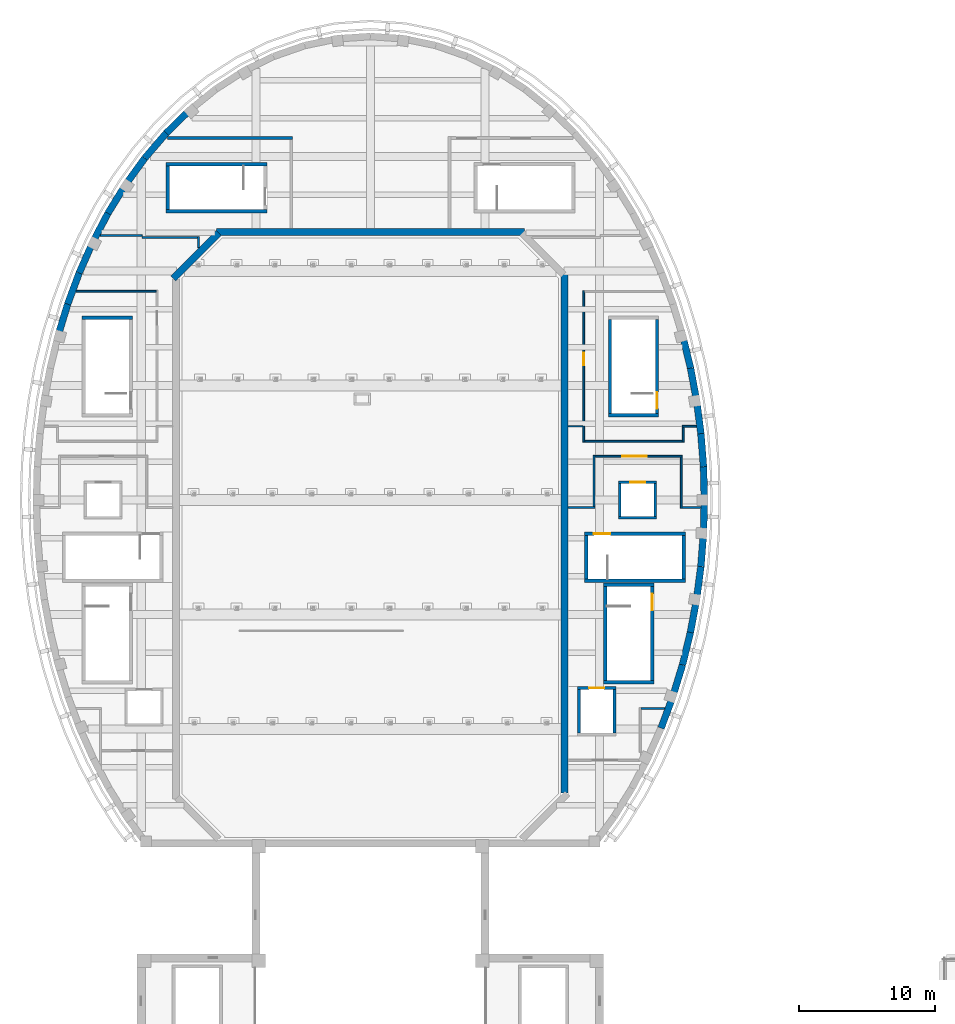
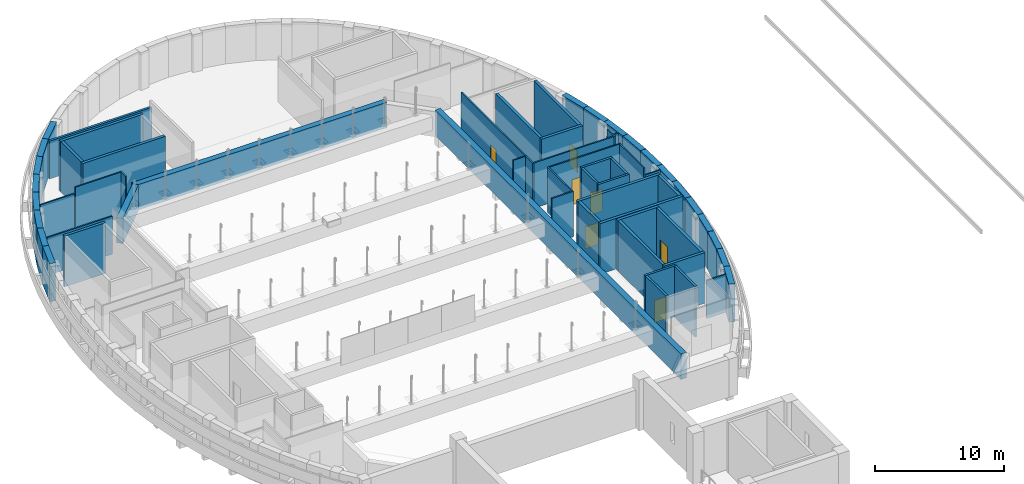
# One storey, part 30 of 47: 62 walls, 7 doors, 7 openings.
"""IFC4 building model written with IfcOpenShell, lengths in metres."""

import ifcopenshell
import ifcopenshell.guid

model = None  # the IFC model being written
_history = None  # IfcOwnerHistory: only IFC2X3 demands one
_inside = {}  # id of a spatial element -> (the spatial element, [elements in it])
_under = {}  # id of a project, library or spatial element -> (it, [spatial elements below it])
_declared = {}  # id of a project -> (the project, [libraries it declares])
_typed = {}  # id of a type object -> (the type object, [elements of that type])
_made_of = {}  # id of a material, layer set ... -> (it, [elements and type objects made of it])


def new_model(schema):
    """Start an empty IFC model of exactly this schema.

    Asked for "IFC4X3", IfcOpenShell would pick the latest addendum, in which some entities
    have other attributes; the version numbers below select the first issue.
    IFC2X3 requires an IfcOwnerHistory on every rooted entity: one is made here for all.
    """
    global model, _history
    if schema == "IFC4X3":
        model = ifcopenshell.file(schema_version=(4, 3, 0, 0))
    else:
        model = ifcopenshell.file(schema=schema)
    _inside.clear()
    _under.clear()
    _declared.clear()
    _typed.clear()
    _made_of.clear()
    _history = None
    if model.schema == "IFC2X3":
        org = make("IfcOrganization", Name="unknown")
        user = make(
            "IfcPersonAndOrganization",
            ThePerson=make("IfcPerson", FamilyName="unknown"),
            TheOrganization=org,
        )
        app = make(
            "IfcApplication",
            ApplicationDeveloper=org,
            Version="unknown",
            ApplicationFullName="unknown",
            ApplicationIdentifier="unknown",
        )
        _history = make(
            "IfcOwnerHistory",
            OwningUser=user,
            OwningApplication=app,
            ChangeAction="ADDED",
            CreationDate=0,
        )
    return model


def make(cls, **values):
    """One entity of the class cls with the attributes given. An attribute that is None is left unset."""
    return model.create_entity(
        cls, **{name: value for name, value in values.items() if value is not None}
    )


def rooted(cls, **values):
    """An entity with a GlobalId (a new one), such as an element, a storey or a relation."""
    return make(cls, GlobalId=ifcopenshell.guid.new(), OwnerHistory=_history, **values)


def si_unit(unit_type, name, prefix=None):
    """IfcSIUnit, for example si_unit("LENGTHUNIT", "METRE", prefix="MILLI")."""
    return make("IfcSIUnit", UnitType=unit_type, Prefix=prefix, Name=name)


def assignment(units):
    """IfcUnitAssignment: the units of a project."""
    return None if units is None else make("IfcUnitAssignment", Units=units)


def point(xyz):
    """IfcCartesianPoint."""
    return None if xyz is None else make("IfcCartesianPoint", Coordinates=xyz)


def direction(xyz):
    """IfcDirection."""
    return None if xyz is None else make("IfcDirection", DirectionRatios=xyz)


def frame(location, z_axis=None, x_axis=None):
    """IfcAxis2Placement3D, a coordinate frame: its origin and axes. An axis left out is left unset."""
    return make(
        "IfcAxis2Placement3D",
        Location=point(location),
        Axis=direction(z_axis),
        RefDirection=direction(x_axis),
    )


def frame_2d(location, x_axis=None):
    """IfcAxis2Placement2D, a coordinate frame in the plane: its origin and x axis."""
    return make(
        "IfcAxis2Placement2D", Location=point(location), RefDirection=direction(x_axis)
    )


def origin():
    """The frame at (0, 0, 0) with its axes left unset."""
    return frame((0.0, 0.0, 0.0))


def place(relative_to, where):
    """IfcLocalPlacement: puts the frame where relative to a parent placement (None: the world)."""
    return make(
        "IfcLocalPlacement", PlacementRelTo=relative_to, RelativePlacement=where
    )


def context(
    kind, dimensions, precision=None, world=None, true_north=None, identifier=None
):
    """IfcGeometricRepresentationContext, for example the 3D "Model" context."""
    return make(
        "IfcGeometricRepresentationContext",
        ContextIdentifier=identifier,
        ContextType=kind,
        CoordinateSpaceDimension=dimensions,
        Precision=precision,
        WorldCoordinateSystem=world,
        TrueNorth=true_north,
    )


def subcontext(parent, identifier, kind, view, scale=None):
    """IfcGeometricRepresentationSubContext, for example "Body" below "Model"."""
    return make(
        "IfcGeometricRepresentationSubContext",
        ContextIdentifier=identifier,
        ContextType=kind,
        ParentContext=parent,
        TargetScale=scale,
        TargetView=view,
    )


def project(units=None, contexts=None):
    """IfcProject with its units and contexts."""
    return rooted(
        "IfcProject",
        Name="project",
        RepresentationContexts=contexts,
        UnitsInContext=assignment(units),
    )


def spatial(cls, under=None, at=None, **own):
    """A site, building, storey or space (cls), placed at a placement, below another one or the project."""
    s = rooted(cls, ObjectPlacement=at, **own)
    if under is not None:
        _under.setdefault(under.id(), (under, []))[1].append(s)
    return s


def profile(cls, at=None, kind="AREA", **sizes):
    """A parametric profile (cls). Its sizes go by their IFC names, for example OverallWidth=200.0."""
    return make(cls, ProfileType=kind, Position=at, **sizes)


def rectangle(**sizes):
    """IfcRectangleProfileDef."""
    return profile("IfcRectangleProfileDef", **sizes)


def extrude(swept, where, along, depth):
    """IfcExtrudedAreaSolid: the profile swept, set in the frame where, extruded along a direction by depth."""
    return make(
        "IfcExtrudedAreaSolid",
        SweptArea=swept,
        Position=where,
        ExtrudedDirection=direction(along),
        Depth=depth,
    )


def shape(context_of_items, identifier, shape_type, items):
    """IfcShapeRepresentation: the items that make up one representation, for example the "Body"."""
    return make(
        "IfcShapeRepresentation",
        ContextOfItems=context_of_items,
        RepresentationIdentifier=identifier,
        RepresentationType=shape_type,
        Items=items,
    )


def material(Name=None, Category=None):
    """IfcMaterial."""
    return make("IfcMaterial", Name=Name, Category=Category)


def layer(
    of_material, thickness, ventilated=None, Name=None, Category=None, Priority=None
):
    """IfcMaterialLayer: one layer of a wall or slab, of a material (None: an air gap)."""
    return make(
        "IfcMaterialLayer",
        Material=of_material,
        LayerThickness=thickness,
        IsVentilated=ventilated,
        Name=Name,
        Category=Category,
        Priority=Priority,
    )


def layer_set(layers, Name=None):
    """IfcMaterialLayerSet."""
    return make("IfcMaterialLayerSet", MaterialLayers=layers, LayerSetName=Name)


def made_of(thing, what):
    """Note that an element or type object is made of a material, layer set ...; save() writes the relation."""
    if what is not None:
        _made_of.setdefault(what.id(), (what, []))[1].append(thing)
    return thing


def type_object(cls, material=None, **own):
    """A type object (cls), such as IfcWallType, which elements share."""
    return made_of(rooted(cls, **own), material)


def element(
    cls,
    number,
    at=None,
    inside=None,
    cuts=None,
    type_object=None,
    material=None,
    context=None,
    identifier="Body",
    shape_type=None,
    held_by="IfcProductDefinitionShape",
    body=None,
    shapes=None,
    **own,
):
    """One element of the class cls, such as IfcWall. Its Tag is "e" and its number.

    at: its placement. inside: the storey or other place that contains it. cuts: it is an
    opening in that element (IfcRelVoidsElement). A single representation is given by context,
    identifier, shape_type and body (its items); several are given by shapes. held_by: the class
    of the entity that holds the representations. save() writes the other relations.
    """
    e = rooted(cls, Tag="e%d" % number, ObjectPlacement=at, **own)
    if body is not None:
        shapes = [shape(context, identifier, shape_type, body)]
    if shapes is not None:
        e.Representation = make(held_by, Representations=shapes)
    if inside is not None:
        _inside.setdefault(inside.id(), (inside, []))[1].append(e)
    if cuts is not None:
        rooted(
            "IfcRelVoidsElement", RelatingBuildingElement=cuts, RelatedOpeningElement=e
        )
    if type_object is not None:
        _typed.setdefault(type_object.id(), (type_object, []))[1].append(e)
    return made_of(e, material)


def fill(opening, filler):
    """IfcRelFillsElement: the door or window that sits in an opening."""
    return rooted(
        "IfcRelFillsElement",
        RelatingOpeningElement=opening,
        RelatedBuildingElement=filler,
    )


def aggregate(whole, parts):
    """IfcRelAggregates: a whole, such as a stair, and the parts it consists of."""
    return rooted("IfcRelAggregates", RelatingObject=whole, RelatedObjects=parts)


def save(model, path):
    """Write the relations noted so far, then the file.

    IfcRelAggregates (storeys below a building ...), IfcRelContainedInSpatialStructure (elements
    in a storey), IfcRelDefinesByType, IfcRelAssociatesMaterial and IfcRelDeclares: one each for
    every whole, place, type object, material and project.
    """
    for whole, parts in _under.values():
        aggregate(whole, parts)
    for where, things in _inside.values():
        rooted(
            "IfcRelContainedInSpatialStructure",
            RelatedElements=things,
            RelatingStructure=where,
        )
    for kind, things in _typed.values():
        rooted("IfcRelDefinesByType", RelatedObjects=things, RelatingType=kind)
    for what, things in _made_of.values():
        rooted("IfcRelAssociatesMaterial", RelatedObjects=things, RelatingMaterial=what)
    for by, libraries in _declared.values():
        rooted("IfcRelDeclares", RelatingContext=by, RelatedDefinitions=libraries)
    model.write(path)


model = new_model("IFC4")

# Units and contexts
model_context = context("Model", 3, precision=1e-05, world=origin(), true_north=direction((0.0, 1.0)))
body_context = subcontext(model_context, "Body", "Model", "MODEL_VIEW")
ifc_project = project(units=[si_unit("LENGTHUNIT", "METRE"), si_unit("AREAUNIT", "SQUARE_METRE"), si_unit("VOLUMEUNIT", "CUBIC_METRE"), si_unit("PLANEANGLEUNIT", "RADIAN"), si_unit("MASSUNIT", "GRAM", prefix="KILO")], contexts=[model_context])

# Site, building, storey
site_placement = place(None, origin())
site = spatial("IfcSite", under=ifc_project, at=site_placement, CompositionType="ELEMENT")
building_placement = place(site_placement, origin())
building = spatial("IfcBuilding", under=site, at=building_placement, Name="Larchfold Concert Hall", CompositionType="ELEMENT")
storey_placement = place(building_placement, frame((0.0, 0.0, 24.0)))
storey = spatial("IfcBuildingStorey", under=building, at=storey_placement, Name="L05", CompositionType="ELEMENT", Elevation=24.0)

# Walls
ifc_material_1 = material(Name="Plasterboard partition on steel studs", Category="steel")
ifc_layer_1 = layer(ifc_material_1, 0.199951171875)
ifc_layer_set_1 = layer_set([ifc_layer_1], Name="Plasterboard partition on steel studs")
wall_type_1 = type_object("IfcWallType", Name="Acoustic partition 200", PredefinedType="PARTITIONING", material=ifc_layer_set_1)
wall_1_placement = place(storey_placement, frame((27.720947265625, 111.14892578125, 0.0), z_axis=(0.0, 0.0, 1.0), x_axis=(1.0, 0.0, 0.0)))
element("IfcWall", 1, at=wall_1_placement, inside=storey, type_object=wall_type_1, Name="Partition IW0036", PredefinedType="PARTITIONING", context=body_context, shape_type="SweptSolid", body=[
    extrude(rectangle(XDim=9.177978515625, YDim=0.199951171875, at=frame_2d((4.5888671875, 0.0))), origin(), (0.0, 0.0, 1.0), 3.599853515625),
])
ifc_material_2 = material(Name="Plasterboard partition on steel studs", Category="steel")
ifc_layer_2 = layer(ifc_material_2, 0.125)
ifc_layer_set_2 = layer_set([ifc_layer_2], Name="Plasterboard partition on steel studs")
wall_type_2 = type_object("IfcWallType", Name="Corridor partition 125 EI 60", PredefinedType="PARTITIONING", material=ifc_layer_set_2)
wall_2_placement = place(storey_placement, frame((62.46240234375, 69.300048828125, 0.0), z_axis=(0.0, 0.0, 1.0), x_axis=(1.0, 0.0, 0.0)))
element("IfcWall", 2, at=wall_2_placement, inside=storey, type_object=wall_type_2, Name="Partition IW0003", PredefinedType="PARTITIONING", context=body_context, shape_type="SweptSolid", body=[
    extrude(rectangle(XDim=1.716552734375, YDim=0.125, at=frame_2d((0.8583984375, 0.0))), origin(), (0.0, 0.0, 1.0), 3.599853515625),
])
wall_3_placement = place(storey_placement, frame((57.10009765625, 84.049072265625, 0.0), z_axis=(0.0, 0.0, 1.0), x_axis=(0.999999876302, 0.000497388648, 0.0)))
element("IfcWall", 3, at=wall_3_placement, inside=storey, type_object=wall_type_2, Name="Partition IW0007", PredefinedType="PARTITIONING", context=body_context, shape_type="SweptSolid", body=[
    extrude(rectangle(XDim=1.96337890625, YDim=0.125, at=frame_2d((0.981689453125, 0.0))), origin(), (0.0, 0.0, 1.0), 4.300048828125),
])
wall_4_placement = place(storey_placement, frame((59.0009765625, 84.112548828125, 0.0), z_axis=(0.0, 0.0, 1.0), x_axis=(0.0, 1.0, 0.0)))
element("IfcWall", 4, at=wall_4_placement, inside=storey, type_object=wall_type_2, Name="Partition IW0008", PredefinedType="PARTITIONING", context=body_context, shape_type="SweptSolid", body=[
    extrude(rectangle(XDim=3.7490234375, YDim=0.125, at=frame_2d((1.87451171875, 0.0))), origin(), (0.0, 0.0, 1.0), 4.300048828125),
])

# Wall, opening, door
wall_5_placement = place(storey_placement, frame((59.0634765625, 87.799072265625, 0.0), z_axis=(0.0, 0.0, 1.0), x_axis=(1.0, 0.0, 0.0)))
wall_5 = element("IfcWall", 5, at=wall_5_placement, inside=storey, type_object=wall_type_2, Name="Partition IW0009", PredefinedType="PARTITIONING", context=body_context, shape_type="SweptSolid", body=[
    extrude(rectangle(XDim=6.39794921875, YDim=0.125, at=frame_2d((3.198974609375, 0.0))), origin(), (0.0, 0.0, 1.0), 4.300048828125),
])
opening_1_placement = place(wall_5_placement, frame((2.00439453125, 0.0, 0.0)))
opening_1 = element("IfcOpeningElement", 6, at=opening_1_placement, cuts=wall_5, Name="Opening D-L05-103", PredefinedType="OPENING", context=body_context, shape_type="SweptSolid", body=[
    extrude(rectangle(XDim=1.800048828125, YDim=2.39990234375, at=frame_2d((0.89990234375, 1.199951171875))), frame((0.0, 0.072509765625, 0.0), z_axis=(0.0, -1.0, 0.0), x_axis=(1.0, 0.0, 0.0)), (0.0, 0.0, 1.0), 0.14501953125),
])
ifc_material_3 = material(Name="Timber door leaf", Category="wood")
door_type_1 = type_object("IfcDoorType", Name="Stage and workshop door pair 1800 x 2400 FD30S", OperationType="SINGLE_SWING_LEFT", PredefinedType="DOOR", material=ifc_material_3)
door_1_placement = place(opening_1_placement, origin())
door_1 = element("IfcDoor", 7, at=door_1_placement, inside=storey, type_object=door_type_1, Name="Door D-L05-103", OperationType="DOUBLE_DOOR_SINGLE_SWING", OverallHeight=2.39990234375, OverallWidth=1.800048828125, PredefinedType="DOOR", context=body_context, shape_type="SweptSolid", body=[
    extrude(rectangle(XDim=1.800048828125, YDim=2.39990234375, at=frame_2d((0.89990234375, 1.199951171875))), frame((0.0, 0.02490234375, 0.0), z_axis=(0.0, -1.0, 0.0), x_axis=(1.0, 0.0, 0.0)), (0.0, 0.0, 1.0), 0.050048828125),
])
fill(opening_1, door_1)

# Walls
wall_6_placement = place(storey_placement, frame((65.39892578125, 87.736572265625, 0.0), z_axis=(0.0, 0.0, 1.0), x_axis=(0.0, -1.0, 0.0)))
element("IfcWall", 8, at=wall_6_placement, inside=storey, type_object=wall_type_2, Name="Partition IW0010", PredefinedType="PARTITIONING", context=body_context, shape_type="SweptSolid", body=[
    extrude(rectangle(XDim=3.7490234375, YDim=0.125, at=frame_2d((1.87451171875, 0.0))), origin(), (0.0, 0.0, 1.0), 4.300048828125),
])
wall_7_placement = place(storey_placement, frame((65.46142578125, 84.050048828125, 0.0), z_axis=(0.0, 0.0, 1.0), x_axis=(0.999999747609, -0.000710479394, 0.0)))
element("IfcWall", 9, at=wall_7_placement, inside=storey, type_object=wall_type_2, Name="Partition IW0011", PredefinedType="PARTITIONING", context=body_context, shape_type="SweptSolid", body=[
    extrude(rectangle(XDim=1.37451171875, YDim=0.125, at=frame_2d((0.687255859375, 0.0))), origin(), (0.0, 0.0, 1.0), 3.599853515625),
])
wall_8_placement = place(storey_placement, frame((58.2509765625, 88.83837890625, 0.0), z_axis=(0.0, 0.0, 1.0), x_axis=(0.0, 1.0, 0.0)))
element("IfcWall", 10, at=wall_8_placement, inside=storey, type_object=wall_type_2, Name="Partition IW0017", PredefinedType="PARTITIONING", context=body_context, shape_type="SweptSolid", body=[
    extrude(rectangle(XDim=1.181640625, YDim=0.125, at=frame_2d((0.5908203125, 0.0))), origin(), (0.0, 0.0, 1.0), 4.300048828125),
])
wall_9_placement = place(storey_placement, frame((66.52099609375, 90.0, 0.0), z_axis=(0.0, 0.0, 1.0), x_axis=(-0.999999554372, 0.000944063776, 0.0)))
element("IfcWall", 11, at=wall_9_placement, inside=storey, type_object=wall_type_2, Name="Partition IW0018", PredefinedType="PARTITIONING", context=body_context, shape_type="SweptSolid", body=[
    extrude(rectangle(XDim=1.034423828125, YDim=0.125, at=frame_2d((0.51708984375, 0.0))), origin(), (0.0, 0.0, 1.0), 3.599853515625),
])
wall_10_placement = place(storey_placement, frame((65.549072265625, 89.9384765625, 0.0), z_axis=(0.0, 0.0, 1.0), x_axis=(0.0, -1.0, 0.0)))
element("IfcWall", 12, at=wall_10_placement, inside=storey, type_object=wall_type_2, Name="Partition IW0019", PredefinedType="PARTITIONING", context=body_context, shape_type="SweptSolid", body=[
    extrude(rectangle(XDim=1.10009765625, YDim=0.125, at=frame_2d((0.550048828125, 0.0))), origin(), (0.0, 0.0, 1.0), 4.300048828125),
])
wall_11_placement = place(storey_placement, frame((65.486572265625, 88.90087890625, 0.0), z_axis=(0.0, 0.0, 1.0), x_axis=(-1.0, 0.0, 0.0)))
element("IfcWall", 13, at=wall_11_placement, inside=storey, type_object=wall_type_2, Name="Partition IW0020", PredefinedType="PARTITIONING", context=body_context, shape_type="SweptSolid", body=[
    extrude(rectangle(XDim=7.173095703125, YDim=0.125, at=frame_2d((3.58642578125, 0.0))), origin(), (0.0, 0.0, 1.0), 4.300048828125),
])

# Wall, opening, door
wall_12_placement = place(storey_placement, frame((58.2509765625, 90.02099609375, 0.0), z_axis=(0.0, 0.0, 1.0), x_axis=(0.0, 1.0, 0.0)))
wall_12 = element("IfcWall", 14, at=wall_12_placement, inside=storey, type_object=wall_type_2, Name="Partition IW0021", PredefinedType="PARTITIONING", context=body_context, shape_type="SweptSolid", body=[
    extrude(rectangle(XDim=9.9404296875, YDim=0.125, at=frame_2d((4.97021484375, 0.0))), origin(), (0.0, 0.0, 1.0), 4.300048828125),
])
opening_2_placement = place(wall_12_placement, frame((4.4697265625, 0.0, 0.0)))
opening_2 = element("IfcOpeningElement", 15, at=opening_2_placement, cuts=wall_12, Name="Opening D-L05-105", PredefinedType="OPENING", context=body_context, shape_type="SweptSolid", body=[
    extrude(rectangle(XDim=0.89990234375, YDim=2.10009765625, at=frame_2d((0.449951171875, 1.050048828125))), frame((0.0, 0.072509765625, 0.0), z_axis=(0.0, -1.0, 0.0), x_axis=(1.0, 0.0, 0.0)), (0.0, 0.0, 1.0), 0.14501953125),
])
ifc_material_4 = material(Name="Timber door leaf", Category="wood")
door_type_2 = type_object("IfcDoorType", Name="Control room door 900 x 2100 FD60S", OperationType="SINGLE_SWING_LEFT", PredefinedType="DOOR", material=ifc_material_4)
door_2_placement = place(opening_2_placement, origin())
door_2 = element("IfcDoor", 16, at=door_2_placement, inside=storey, type_object=door_type_2, Name="Door D-L05-105", OperationType="SINGLE_SWING_LEFT", OverallHeight=2.10009765625, OverallWidth=0.89990234375, PredefinedType="DOOR", context=body_context, shape_type="SweptSolid", body=[
    extrude(rectangle(XDim=0.89990234375, YDim=2.10009765625, at=frame_2d((0.449951171875, 1.050048828125))), frame((0.0, 0.02490234375, 0.0), z_axis=(0.0, -1.0, 0.0), x_axis=(1.0, 0.0, 0.0)), (0.0, 0.0, 1.0), 0.050048828125),
])
fill(opening_2, door_2)

# Walls
wall_13_placement = place(storey_placement, frame((26.887451171875, 99.89990234375, 0.0), z_axis=(0.0, 0.0, 1.0), x_axis=(-1.0, 0.0, 0.0)))
element("IfcWall", 17, at=wall_13_placement, inside=storey, type_object=wall_type_2, Name="Partition IW0030", PredefinedType="PARTITIONING", context=body_context, shape_type="SweptSolid", body=[
    extrude(rectangle(XDim=5.866455078125, YDim=0.125, at=frame_2d((2.93310546875, 0.0))), origin(), (0.0, 0.0, 1.0), 3.599853515625),
])
wall_14_placement = place(storey_placement, frame((22.803955078125, 104.0, 0.0), z_axis=(0.0, 0.0, 1.0), x_axis=(1.0, 0.0, 0.0)))
element("IfcWall", 18, at=wall_14_placement, inside=storey, type_object=wall_type_2, Name="Partition IW0031", PredefinedType="PARTITIONING", context=body_context, shape_type="SweptSolid", body=[
    extrude(rectangle(XDim=3.05859375, YDim=0.125, at=frame_2d((1.529296875, 0.0))), origin(), (0.0, 0.0, 1.0), 3.599853515625),
])
wall_15_placement = place(storey_placement, frame((25.862548828125, 103.85009765625, 0.0), z_axis=(0.0, 0.0, 1.0), x_axis=(1.0, 0.0, 0.0)))
element("IfcWall", 19, at=wall_15_placement, inside=storey, type_object=wall_type_2, Name="Partition IW0032", PredefinedType="PARTITIONING", context=body_context, shape_type="SweptSolid", body=[
    extrude(rectangle(XDim=4.074951171875, YDim=0.125, at=frame_2d((2.03759765625, 0.0))), origin(), (0.0, 0.0, 1.0), 4.300048828125),
])
wall_16_placement = place(storey_placement, frame((30.0, 103.91259765625, 0.0), z_axis=(0.0, 0.0, 1.0), x_axis=(0.0, -1.0, 0.0)))
element("IfcWall", 20, at=wall_16_placement, inside=storey, type_object=wall_type_2, Name="Partition IW0033", PredefinedType="PARTITIONING", context=body_context, shape_type="SweptSolid", body=[
    extrude(rectangle(XDim=0.8076171875, YDim=0.125, at=frame_2d((0.40380859375, 0.0))), origin(), (0.0, 0.0, 1.0), 4.300048828125),
])
ifc_material_5 = material(Name="Plasterboard partition on steel studs", Category="steel")
ifc_layer_3 = layer(ifc_material_5, 0.10009765625)
ifc_layer_set_3 = layer_set([ifc_layer_3], Name="Plasterboard partition on steel studs")
wall_type_3 = type_object("IfcWallType", Name="Stud partition 100", PredefinedType="PARTITIONING", material=ifc_layer_set_3)
wall_17_placement = place(storey_placement, frame((57.10009765625, 90.0, 0.0), z_axis=(0.0, 0.0, 1.0), x_axis=(1.0, 0.0, 0.0)))
element("IfcWall", 21, at=wall_17_placement, inside=storey, type_object=wall_type_3, Name="Partition IW0028", PredefinedType="PARTITIONING", context=body_context, shape_type="SweptSolid", body=[
    extrude(rectangle(XDim=1.0849609375, YDim=0.10009765625, at=frame_2d((0.54248046875, 0.0))), origin(), (0.0, 0.0, 1.0), 4.300048828125),
])

# Wall, opening, door
ifc_material_6 = material(Name="Concrete C40/50", Category="concrete")
ifc_layer_4 = layer(ifc_material_6, 0.199951171875)
ifc_layer_set_4 = layer_set([ifc_layer_4], Name="Concrete C40/50")
wall_type_4 = type_object("IfcWallType", Name="Wall RC 200 lift shaft", PredefinedType="SOLIDWALL", material=ifc_layer_set_4)
wall_18_placement = place(storey_placement, frame((57.800048828125, 70.7998046875, 0.0), z_axis=(0.0, 0.0, 1.0), x_axis=(1.0, 0.0, 0.0)))
wall_18 = element("IfcWall", 22, at=wall_18_placement, inside=storey, type_object=wall_type_4, Name="Wall W0086", PredefinedType="SOLIDWALL", context=body_context, shape_type="SweptSolid", body=[
    extrude(rectangle(XDim=2.800048828125, YDim=0.199951171875, at=frame_2d((1.39990234375, 0.0))), origin(), (0.0, 0.0, 1.0), 4.800048828125),
])
opening_3_placement = place(wall_18_placement, frame((0.85009765625, 0.0, 0.0)))
opening_3 = element("IfcOpeningElement", 23, at=opening_3_placement, cuts=wall_18, Name="Opening LD-LF01", PredefinedType="OPENING", context=body_context, shape_type="SweptSolid", body=[
    extrude(rectangle(XDim=1.10009765625, YDim=2.10009765625, at=frame_2d((0.550048828125, 1.050048828125))), frame((0.0, 0.10986328125, 0.0), z_axis=(0.0, -1.0, 0.0), x_axis=(1.0, 0.0, 0.0)), (0.0, 0.0, 1.0), 0.219970703125),
])
ifc_material_7 = material(Name="Stainless steel sliding leaves", Category="steel")
door_type_3 = type_object("IfcDoorType", Name="Lift landing door sliding 1100 x 2100", OperationType="SLIDING_TO_LEFT", PredefinedType="DOOR", material=ifc_material_7)
door_3_placement = place(opening_3_placement, origin())
door_3 = element("IfcDoor", 24, at=door_3_placement, inside=storey, type_object=door_type_3, Name="Lift landing door LF01", OperationType="SLIDING_TO_LEFT", OverallHeight=2.10009765625, OverallWidth=1.10009765625, PredefinedType="DOOR", context=body_context, shape_type="SweptSolid", body=[
    extrude(rectangle(XDim=1.10009765625, YDim=2.10009765625, at=frame_2d((0.550048828125, 1.050048828125))), frame((0.0, 0.02490234375, 0.0), z_axis=(0.0, -1.0, 0.0), x_axis=(1.0, 0.0, 0.0)), (0.0, 0.0, 1.0), 0.050048828125),
])
fill(opening_3, door_3)

# Walls
for number, where, z_axis, x_axis, name in (
    (25, (57.900146484375, 67.5, 0.0), (0.0, 0.0, 1.0), (0.0, 1.0, 0.0), "Wall W0087"),
    (26, (60.5, 67.5, 0.0), (0.0, 0.0, 1.0), (0.0, 1.0, 0.0), "Wall W0088"),
):
    element("IfcWall", number, at=place(storey_placement, frame(where, z_axis=z_axis, x_axis=x_axis)), inside=storey, type_object=wall_type_4, Name=name, PredefinedType="SOLIDWALL", context=body_context, shape_type="SweptSolid", body=[
        extrude(rectangle(XDim=3.199951171875, YDim=0.199951171875, at=frame_2d((1.60009765625, 0.0))), origin(), (0.0, 0.0, 1.0), 4.800048828125),
    ])
wall_19_placement = place(storey_placement, frame((60.800048828125, 83.300048828125, 0.0), z_axis=(0.0, 0.0, 1.0), x_axis=(1.0, 0.0, 0.0)))
element("IfcWall", 27, at=wall_19_placement, inside=storey, type_object=wall_type_4, Name="Wall W0093", PredefinedType="SOLIDWALL", context=body_context, shape_type="SweptSolid", body=[
    extrude(rectangle(XDim=2.800048828125, YDim=0.199951171875, at=frame_2d((1.39990234375, 0.0))), origin(), (0.0, 0.0, 1.0), 4.800048828125),
])

# Wall, opening, door
wall_20_placement = place(storey_placement, frame((60.800048828125, 85.89990234375, 0.0), z_axis=(0.0, 0.0, 1.0), x_axis=(1.0, 0.0, 0.0)))
wall_20 = element("IfcWall", 28, at=wall_20_placement, inside=storey, type_object=wall_type_4, Name="Wall W0094", PredefinedType="SOLIDWALL", context=body_context, shape_type="SweptSolid", body=[
    extrude(rectangle(XDim=2.800048828125, YDim=0.199951171875, at=frame_2d((1.39990234375, 0.0))), origin(), (0.0, 0.0, 1.0), 4.800048828125),
])
opening_4_placement = place(wall_20_placement, frame((0.85009765625, 0.0, 0.0)))
opening_4 = element("IfcOpeningElement", 29, at=opening_4_placement, cuts=wall_20, Name="Opening LD-LF03", PredefinedType="OPENING", context=body_context, shape_type="SweptSolid", body=[
    extrude(rectangle(XDim=1.10009765625, YDim=2.10009765625, at=frame_2d((0.550048828125, 1.050048828125))), frame((0.0, 0.10986328125, 0.0), z_axis=(0.0, -1.0, 0.0), x_axis=(1.0, 0.0, 0.0)), (0.0, 0.0, 1.0), 0.219970703125),
])
door_4_placement = place(opening_4_placement, origin())
door_4 = element("IfcDoor", 30, at=door_4_placement, inside=storey, type_object=door_type_3, Name="Lift landing door LF03", OperationType="SLIDING_TO_LEFT", OverallHeight=2.10009765625, OverallWidth=1.10009765625, PredefinedType="DOOR", context=body_context, shape_type="SweptSolid", body=[
    extrude(rectangle(XDim=1.10009765625, YDim=2.10009765625, at=frame_2d((0.550048828125, 1.050048828125))), frame((0.0, 0.02490234375, 0.0), z_axis=(0.0, -1.0, 0.0), x_axis=(1.0, 0.0, 0.0)), (0.0, 0.0, 1.0), 0.050048828125),
])
fill(opening_4, door_4)

# Walls
for number, where, z_axis, x_axis, name in (
    (31, (60.900146484375, 83.39990234375, 0.0), (0.0, 0.0, 1.0), (0.0, 1.0, 0.0), "Wall W0095"),
    (32, (63.5, 83.39990234375, 0.0), (0.0, 0.0, 1.0), (0.0, 1.0, 0.0), "Wall W0096"),
):
    element("IfcWall", number, at=place(storey_placement, frame(where, z_axis=z_axis, x_axis=x_axis)), inside=storey, type_object=wall_type_4, Name=name, PredefinedType="SOLIDWALL", context=body_context, shape_type="SweptSolid", body=[
        extrude(rectangle(XDim=2.400146484375, YDim=0.199951171875, at=frame_2d((1.2001953125, 0.0))), origin(), (0.0, 0.0, 1.0), 4.800048828125),
    ])
ifc_material_8 = material(Name="Concrete C40/50", Category="concrete")
ifc_layer_5 = layer(ifc_material_8, 0.25)
ifc_layer_set_5 = layer_set([ifc_layer_5], Name="Concrete C40/50")
wall_type_5 = type_object("IfcWallType", Name="Wall RC 250 stair core", PredefinedType="SOLIDWALL", material=ifc_layer_set_5)
wall_21_placement = place(storey_placement, frame((60.050048828125, 90.824951171875, 0.0), z_axis=(0.0, 0.0, 1.0), x_axis=(1.0, 0.0, 0.0)))
element("IfcWall", 33, at=wall_21_placement, inside=storey, type_object=wall_type_5, Name="Wall W0025", PredefinedType="SOLIDWALL", context=body_context, shape_type="SweptSolid", body=[
    extrude(rectangle(XDim=3.699951171875, YDim=0.25, at=frame_2d((1.85009765625, 0.0))), origin(), (0.0, 0.0, 1.0), 4.800048828125),
])
wall_22_placement = place(storey_placement, frame((60.175048828125, 90.949951171875, 0.0), z_axis=(0.0, 0.0, 1.0), x_axis=(0.0, 1.0, 0.0)))
element("IfcWall", 34, at=wall_22_placement, inside=storey, type_object=wall_type_5, Name="Wall W0027", PredefinedType="SOLIDWALL", context=body_context, shape_type="SweptSolid", body=[
    extrude(rectangle(XDim=6.900146484375, YDim=0.25, at=frame_2d((3.4501953125, 0.0))), origin(), (0.0, 0.0, 1.0), 4.800048828125),
])

# Wall, opening, door
wall_23_placement = place(storey_placement, frame((63.625, 90.949951171875, 0.0), z_axis=(0.0, 0.0, 1.0), x_axis=(0.0, 1.0, 0.0)))
wall_23 = element("IfcWall", 35, at=wall_23_placement, inside=storey, type_object=wall_type_5, Name="Wall W0028", PredefinedType="SOLIDWALL", context=body_context, shape_type="SweptSolid", body=[
    extrude(rectangle(XDim=6.900146484375, YDim=0.25, at=frame_2d((3.4501953125, 0.0))), origin(), (0.0, 0.0, 1.0), 4.800048828125),
])
opening_5_placement = place(wall_23_placement, frame((0.35009765625, 0.0, 0.0)))
opening_5 = element("IfcOpeningElement", 36, at=opening_5_placement, cuts=wall_23, Name="Opening D-L05-120", PredefinedType="OPENING", context=body_context, shape_type="SweptSolid", body=[
    extrude(rectangle(XDim=1.199951171875, YDim=2.10009765625, at=frame_2d((0.60009765625, 1.050048828125))), frame((0.0, 0.135009765625, 0.0), z_axis=(0.0, -1.0, 0.0), x_axis=(1.0, 0.0, 0.0)), (0.0, 0.0, 1.0), 0.27001953125),
])
ifc_material_9 = material(Name="Timber door leaf", Category="wood")
door_type_4 = type_object("IfcDoorType", Name="Stair enclosure door pair 1200 x 2100 FD60", OperationType="SINGLE_SWING_LEFT", PredefinedType="DOOR", material=ifc_material_9)
door_5_placement = place(opening_5_placement, origin())
door_5 = element("IfcDoor", 37, at=door_5_placement, inside=storey, type_object=door_type_4, Name="Door D-L05-120", OperationType="DOUBLE_DOOR_SINGLE_SWING", OverallHeight=2.10009765625, OverallWidth=1.199951171875, PredefinedType="DOOR", context=body_context, shape_type="SweptSolid", body=[
    extrude(rectangle(XDim=1.199951171875, YDim=2.10009765625, at=frame_2d((0.60009765625, 1.050048828125))), frame((0.0, 0.02490234375, 0.0), z_axis=(0.0, -1.0, 0.0), x_axis=(1.0, 0.0, 0.0)), (0.0, 0.0, 1.0), 0.050048828125),
])
fill(opening_5, door_5)

# Walls
for number, where, z_axis, x_axis, name in (
    (38, (27.60009765625, 105.77490234375, 0.0), (0.0, 0.0, 1.0), (1.0, 0.0, 0.0), "Wall W0033"),
    (39, (27.60009765625, 109.22509765625, 0.0), (0.0, 0.0, 1.0), (1.0, 0.0, 0.0), "Wall W0034"),
):
    element("IfcWall", number, at=place(storey_placement, frame(where, z_axis=z_axis, x_axis=x_axis)), inside=storey, type_object=wall_type_5, Name=name, PredefinedType="SOLIDWALL", context=body_context, shape_type="SweptSolid", body=[
        extrude(rectangle(XDim=7.39990234375, YDim=0.25, at=frame_2d((3.699951171875, 0.0))), origin(), (0.0, 0.0, 1.0), 4.800048828125),
    ])
wall_24_placement = place(storey_placement, frame((27.72509765625, 105.89990234375, 0.0), z_axis=(0.0, 0.0, 1.0), x_axis=(0.0, 1.0, 0.0)))
element("IfcWall", 40, at=wall_24_placement, inside=storey, type_object=wall_type_5, Name="Wall W0035", PredefinedType="SOLIDWALL", context=body_context, shape_type="SweptSolid", body=[
    extrude(rectangle(XDim=3.2001953125, YDim=0.25, at=frame_2d((1.60009765625, 0.0))), origin(), (0.0, 0.0, 1.0), 4.800048828125),
])
for number, where, z_axis, x_axis, name in (
    (41, (21.449951171875, 97.97509765625, 0.0), (0.0, 0.0, 1.0), (1.0, 0.0, 0.0), "Wall W0038"),
    (42, (59.699951171875, 71.22509765625, 0.0), (0.0, 0.0, 1.0), (1.0, 0.0, 0.0), "Wall W0045"),
    (43, (59.699951171875, 78.375, 0.0), (0.0, 0.0, 1.0), (1.0, 0.0, 0.0), "Wall W0046"),
):
    element("IfcWall", number, at=place(storey_placement, frame(where, z_axis=z_axis, x_axis=x_axis)), inside=storey, type_object=wall_type_5, Name=name, PredefinedType="SOLIDWALL", context=body_context, shape_type="SweptSolid", body=[
        extrude(rectangle(XDim=3.699951171875, YDim=0.25, at=frame_2d((1.85009765625, 0.0))), origin(), (0.0, 0.0, 1.0), 4.800048828125),
    ])
wall_25_placement = place(storey_placement, frame((59.824951171875, 71.35009765625, 0.0), z_axis=(0.0, 0.0, 1.0), x_axis=(0.0, 1.0, 0.0)))
element("IfcWall", 44, at=wall_25_placement, inside=storey, type_object=wall_type_5, Name="Wall W0047", PredefinedType="SOLIDWALL", context=body_context, shape_type="SweptSolid", body=[
    extrude(rectangle(XDim=6.89990234375, YDim=0.25, at=frame_2d((3.449951171875, 0.0))), origin(), (0.0, 0.0, 1.0), 4.800048828125),
])

# Wall, opening, door
wall_26_placement = place(storey_placement, frame((63.27490234375, 71.35009765625, 0.0), z_axis=(0.0, 0.0, 1.0), x_axis=(0.0, 1.0, 0.0)))
wall_26 = element("IfcWall", 45, at=wall_26_placement, inside=storey, type_object=wall_type_5, Name="Wall W0048", PredefinedType="SOLIDWALL", context=body_context, shape_type="SweptSolid", body=[
    extrude(rectangle(XDim=6.89990234375, YDim=0.25, at=frame_2d((3.449951171875, 0.0))), origin(), (0.0, 0.0, 1.0), 4.800048828125),
])
opening_6_placement = place(wall_26_placement, frame((5.14990234375, 0.0, 0.0)))
opening_6 = element("IfcOpeningElement", 46, at=opening_6_placement, cuts=wall_26, Name="Opening D-L05-116", PredefinedType="OPENING", context=body_context, shape_type="SweptSolid", body=[
    extrude(rectangle(XDim=1.199951171875, YDim=2.10009765625, at=frame_2d((0.60009765625, 1.050048828125))), frame((0.0, 0.135009765625, 0.0), z_axis=(0.0, -1.0, 0.0), x_axis=(1.0, 0.0, 0.0)), (0.0, 0.0, 1.0), 0.27001953125),
])
door_6_placement = place(opening_6_placement, origin())
door_6 = element("IfcDoor", 47, at=door_6_placement, inside=storey, type_object=door_type_4, Name="Door D-L05-116", OperationType="DOUBLE_DOOR_SINGLE_SWING", OverallHeight=2.10009765625, OverallWidth=1.199951171875, PredefinedType="DOOR", context=body_context, shape_type="SweptSolid", body=[
    extrude(rectangle(XDim=1.199951171875, YDim=2.10009765625, at=frame_2d((0.60009765625, 1.050048828125))), frame((0.0, 0.02490234375, 0.0), z_axis=(0.0, -1.0, 0.0), x_axis=(1.0, 0.0, 0.0)), (0.0, 0.0, 1.0), 0.050048828125),
])
fill(opening_6, door_6)

# Wall
wall_27_placement = place(storey_placement, frame((58.300048828125, 78.675048828125, 0.0), z_axis=(0.0, 0.0, 1.0), x_axis=(1.0, 0.0, 0.0)))
element("IfcWall", 48, at=wall_27_placement, inside=storey, type_object=wall_type_5, Name="Wall W0053", PredefinedType="SOLIDWALL", context=body_context, shape_type="SweptSolid", body=[
    extrude(rectangle(XDim=7.39990234375, YDim=0.25, at=frame_2d((3.699951171875, 0.0))), origin(), (0.0, 0.0, 1.0), 4.800048828125),
])

# Wall, opening, door
wall_28_placement = place(storey_placement, frame((58.300048828125, 82.125, 0.0), z_axis=(0.0, 0.0, 1.0), x_axis=(1.0, 0.0, 0.0)))
wall_28 = element("IfcWall", 49, at=wall_28_placement, inside=storey, type_object=wall_type_5, Name="Wall W0054", PredefinedType="SOLIDWALL", context=body_context, shape_type="SweptSolid", body=[
    extrude(rectangle(XDim=7.39990234375, YDim=0.25, at=frame_2d((3.699951171875, 0.0))), origin(), (0.0, 0.0, 1.0), 4.800048828125),
])
opening_7_placement = place(wall_28_placement, frame((0.699951171875, 0.0, 0.0)))
opening_7 = element("IfcOpeningElement", 50, at=opening_7_placement, cuts=wall_28, Name="Opening D-L05-118", PredefinedType="OPENING", context=body_context, shape_type="SweptSolid", body=[
    extrude(rectangle(XDim=1.199951171875, YDim=2.10009765625, at=frame_2d((0.60009765625, 1.050048828125))), frame((0.0, 0.135009765625, 0.0), z_axis=(0.0, -1.0, 0.0), x_axis=(1.0, 0.0, 0.0)), (0.0, 0.0, 1.0), 0.27001953125),
])
door_7_placement = place(opening_7_placement, origin())
door_7 = element("IfcDoor", 51, at=door_7_placement, inside=storey, type_object=door_type_4, Name="Door D-L05-118", OperationType="DOUBLE_DOOR_SINGLE_SWING", OverallHeight=2.10009765625, OverallWidth=1.199951171875, PredefinedType="DOOR", context=body_context, shape_type="SweptSolid", body=[
    extrude(rectangle(XDim=1.199951171875, YDim=2.10009765625, at=frame_2d((0.60009765625, 1.050048828125))), frame((0.0, 0.02490234375, 0.0), z_axis=(0.0, -1.0, 0.0), x_axis=(1.0, 0.0, 0.0)), (0.0, 0.0, 1.0), 0.050048828125),
])
fill(opening_7, door_7)

# Walls
for number, where, z_axis, x_axis, name in (
    (52, (58.425048828125, 78.800048828125, 0.0), (0.0, 0.0, 1.0), (0.0, 1.0, 0.0), "Wall W0055"),
    (53, (65.574951171875, 78.800048828125, 0.0), (0.0, 0.0, 1.0), (0.0, 1.0, 0.0), "Wall W0056"),
):
    element("IfcWall", number, at=place(storey_placement, frame(where, z_axis=z_axis, x_axis=x_axis)), inside=storey, type_object=wall_type_5, Name=name, PredefinedType="SOLIDWALL", context=body_context, shape_type="SweptSolid", body=[
        extrude(rectangle(XDim=3.199951171875, YDim=0.25, at=frame_2d((1.60009765625, 0.0))), origin(), (0.0, 0.0, 1.0), 4.800048828125),
    ])
ifc_material_10 = material(Name="Concrete C30/37", Category="concrete")
ifc_layer_6 = layer(ifc_material_10, 0.5)
ifc_layer_set_6 = layer_set([ifc_layer_6], Name="Concrete C30/37")
wall_type_6 = type_object("IfcWallType", Name="Wall RC 500 drum facade", PredefinedType="SOLIDWALL", material=ifc_layer_set_6)
for number, where, z_axis, x_axis, name in (
    (54, (67.10009765625, 84.60009765625, 0.0), (0.0, 0.0, 1.0), (-0.025779107921, 0.999667663574, 0.0), "Wall DW001"),
    (55, (67.037353515625, 87.033203125, 0.0), (0.0, 0.0, 1.0), (-0.077540262419, 0.996989221458, 0.0), "Wall DW002"),
    (56, (66.8486328125, 89.459716796875, 0.0), (0.0, 0.0, 1.0), (-0.129699392582, 0.991553360926, 0.0), "Wall DW003"),
    (57, (66.532958984375, 91.873046875, 0.0), (0.0, 0.0, 1.0), (-0.182362243365, 0.983231413348, 0.0), "Wall DW004"),
    (58, (66.089111328125, 94.26611328125, 0.0), (0.0, 0.0, 1.0), (-0.235921551206, 0.971772103776, 0.0), "Wall DW005"),
):
    element("IfcWall", number, at=place(storey_placement, frame(where, z_axis=z_axis, x_axis=x_axis)), inside=storey, type_object=wall_type_6, Name=name, PredefinedType="SOLIDWALL", context=body_context, shape_type="SweptSolid", body=[
        extrude(rectangle(XDim=2.433837890625, YDim=0.5, at=frame_2d((1.216796875, 0.0))), origin(), (0.0, 0.0, 1.0), 3.60009765625),
    ])
for number, where, z_axis, x_axis, name in (
    (59, (29.37255859375, 113.218994140625, 0.0), (0.0, 0.0, 1.0), (-0.71498883591, -0.69913586986, 0.0), "Wall DW026"),
    (60, (27.6328125, 111.517822265625, 0.0), (0.0, 0.0, 1.0), (-0.650526940133, -0.759483179643, 0.0), "Wall DW027"),
):
    element("IfcWall", number, at=place(storey_placement, frame(where, z_axis=z_axis, x_axis=x_axis)), inside=storey, type_object=wall_type_6, Name=name, PredefinedType="SOLIDWALL", context=body_context, shape_type="SweptSolid", body=[
        extrude(rectangle(XDim=2.433349609375, YDim=0.5, at=frame_2d((1.216796875, 0.0))), origin(), (0.0, 0.0, 1.0), 3.60009765625),
    ])
wall_29_placement = place(storey_placement, frame((26.0498046875, 109.669677734375, 0.0), z_axis=(0.0, 0.0, 1.0), x_axis=(-0.586643688245, -0.809845159918, 0.0)))
element("IfcWall", 61, at=wall_29_placement, inside=storey, type_object=wall_type_6, Name="Wall DW028", PredefinedType="SOLIDWALL", context=body_context, shape_type="SweptSolid", body=[
    extrude(rectangle(XDim=2.433837890625, YDim=0.5, at=frame_2d((1.216796875, 0.0))), origin(), (0.0, 0.0, 1.0), 3.60009765625),
])
wall_30_placement = place(storey_placement, frame((24.6220703125, 107.69873046875, 0.0), z_axis=(0.0, 0.0, 1.0), x_axis=(-0.524097425664, -0.851658316705, 0.0)))
element("IfcWall", 62, at=wall_30_placement, inside=storey, type_object=wall_type_6, Name="Wall DW029", PredefinedType="SOLIDWALL", context=body_context, shape_type="SweptSolid", body=[
    extrude(rectangle(XDim=2.43359375, YDim=0.5, at=frame_2d((1.216796875, 0.0))), origin(), (0.0, 0.0, 1.0), 3.60009765625),
])
wall_31_placement = place(storey_placement, frame((23.3466796875, 105.626220703125, 0.0), z_axis=(0.0, 0.0, 1.0), x_axis=(-0.463152141842, -0.886278789945, 0.0)))
element("IfcWall", 63, at=wall_31_placement, inside=storey, type_object=wall_type_6, Name="Wall DW030", PredefinedType="SOLIDWALL", context=body_context, shape_type="SweptSolid", body=[
    extrude(rectangle(XDim=2.433837890625, YDim=0.5, at=frame_2d((1.216796875, 0.0))), origin(), (0.0, 0.0, 1.0), 3.60009765625),
])
wall_32_placement = place(storey_placement, frame((22.219482421875, 103.46923828125, 0.0), z_axis=(0.0, 0.0, 1.0), x_axis=(-0.404089673612, -0.914719375371, 0.0)))
element("IfcWall", 64, at=wall_32_placement, inside=storey, type_object=wall_type_6, Name="Wall DW031", PredefinedType="SOLIDWALL", context=body_context, shape_type="SweptSolid", body=[
    extrude(rectangle(XDim=2.43359375, YDim=0.5, at=frame_2d((1.216796875, 0.0))), origin(), (0.0, 0.0, 1.0), 3.60009765625),
])
for number, where, z_axis, x_axis, name in (
    (65, (21.236083984375, 101.2431640625, 0.0), (0.0, 0.0, 1.0), (-0.346579149604, -0.938020731679, 0.0), "Wall DW032"),
    (66, (20.392578125, 98.960205078125, 0.0), (0.0, 0.0, 1.0), (-0.290594767559, -0.956846215997, 0.0), "Wall DW033"),
):
    element("IfcWall", number, at=place(storey_placement, frame(where, z_axis=z_axis, x_axis=x_axis)), inside=storey, type_object=wall_type_6, Name=name, PredefinedType="SOLIDWALL", context=body_context, shape_type="SweptSolid", body=[
        extrude(rectangle(XDim=2.433837890625, YDim=0.5, at=frame_2d((1.216796875, 0.0))), origin(), (0.0, 0.0, 1.0), 3.60009765625),
    ])
for number, where, z_axis, x_axis, name in (
    (67, (63.92431640625, 67.85888671875, 0.0), (0.0, 0.0, 1.0), (0.348817204426, 0.937190779882, 0.0), "Wall DW055"),
    (68, (64.778564453125, 70.154052734375, 0.0), (0.0, 0.0, 1.0), (0.29250219685, 0.95626485078, 0.0), "Wall DW056"),
    (69, (65.494873046875, 72.495849609375, 0.0), (0.0, 0.0, 1.0), (0.237465633216, 0.971395940408, 0.0), "Wall DW057"),
    (70, (66.076416015625, 74.874755859375, 0.0), (0.0, 0.0, 1.0), (0.183524085598, 0.983015213517, 0.0), "Wall DW058"),
    (71, (66.52587890625, 77.2822265625, 0.0), (0.0, 0.0, 1.0), (0.130498353005, 0.991448526078, 0.0), "Wall DW059"),
):
    element("IfcWall", number, at=place(storey_placement, frame(where, z_axis=z_axis, x_axis=x_axis)), inside=storey, type_object=wall_type_6, Name=name, PredefinedType="SOLIDWALL", context=body_context, shape_type="SweptSolid", body=[
        extrude(rectangle(XDim=2.448974609375, YDim=0.5, at=frame_2d((1.224609375, 0.0))), origin(), (0.0, 0.0, 1.0), 3.60009765625),
    ])
wall_33_placement = place(storey_placement, frame((66.845458984375, 79.710205078125, 0.0), z_axis=(0.0, 0.0, 1.0), x_axis=(0.078053315948, 0.996949186202, 0.0)))
element("IfcWall", 72, at=wall_33_placement, inside=storey, type_object=wall_type_6, Name="Wall DW060", PredefinedType="SOLIDWALL", context=body_context, shape_type="SweptSolid", body=[
    extrude(rectangle(XDim=2.44921875, YDim=0.5, at=frame_2d((1.224609375, 0.0))), origin(), (0.0, 0.0, 1.0), 3.60009765625),
])
wall_34_placement = place(storey_placement, frame((67.03662109375, 82.15185546875, 0.0), z_axis=(0.0, 0.0, 1.0), x_axis=(0.02591869307, 0.999664054245, 0.0)))
element("IfcWall", 73, at=wall_34_placement, inside=storey, type_object=wall_type_6, Name="Wall DW061", PredefinedType="SOLIDWALL", context=body_context, shape_type="SweptSolid", body=[
    extrude(rectangle(XDim=2.448974609375, YDim=0.5, at=frame_2d((1.224609375, 0.0))), origin(), (0.0, 0.0, 1.0), 3.60009765625),
])
ifc_material_11 = material(Name="Concrete C40/50", Category="concrete")
ifc_layer_7 = layer(ifc_material_11, 0.5)
ifc_layer_set_7 = layer_set([ifc_layer_7], Name="Concrete C40/50")
wall_type_7 = type_object("IfcWallType", Name="Wall RC 500 hall shell", PredefinedType="SOLIDWALL", material=ifc_layer_set_7)
wall_35_placement = place(storey_placement, frame((56.85009765625, 63.10009765625, 0.0), z_axis=(0.0, 0.0, 1.0), x_axis=(0.0, 1.0, 0.0)))
element("IfcWall", 74, at=wall_35_placement, inside=storey, type_object=wall_type_7, Name="Wall W0002", PredefinedType="SOLIDWALL", context=body_context, shape_type="SweptSolid", body=[
    extrude(rectangle(XDim=38.151123046875, YDim=0.5, at=frame_2d((19.07568359375, 0.0))), origin(), (0.0, 0.0, 1.0), 2.39990234375),
])
wall_36_placement = place(storey_placement, frame((53.89990234375, 104.25, 0.0), z_axis=(0.0, 0.0, 1.0), x_axis=(-1.0, 0.0, 0.0)))
element("IfcWall", 75, at=wall_36_placement, inside=storey, type_object=wall_type_7, Name="Wall W0004", PredefinedType="SOLIDWALL", context=body_context, shape_type="SweptSolid", body=[
    extrude(rectangle(XDim=22.599853515625, YDim=0.5, at=frame_2d((11.2998046875, 0.0))), origin(), (0.0, 0.0, 1.0), 2.39990234375),
])
wall_37_placement = place(storey_placement, frame((31.477294921875, 104.17724609375, 0.0), z_axis=(0.0, 0.0, 1.0), x_axis=(-0.707106781187, -0.707106781187, 0.0)))
element("IfcWall", 76, at=wall_37_placement, inside=storey, type_object=wall_type_7, Name="Wall W0005", PredefinedType="SOLIDWALL", context=body_context, shape_type="SweptSolid", body=[
    extrude(rectangle(XDim=4.720458984375, YDim=0.5, at=frame_2d((2.3603515625, 0.0))), origin(), (0.0, 0.0, 1.0), 2.39990234375),
])

save(model, "model.ifc")
